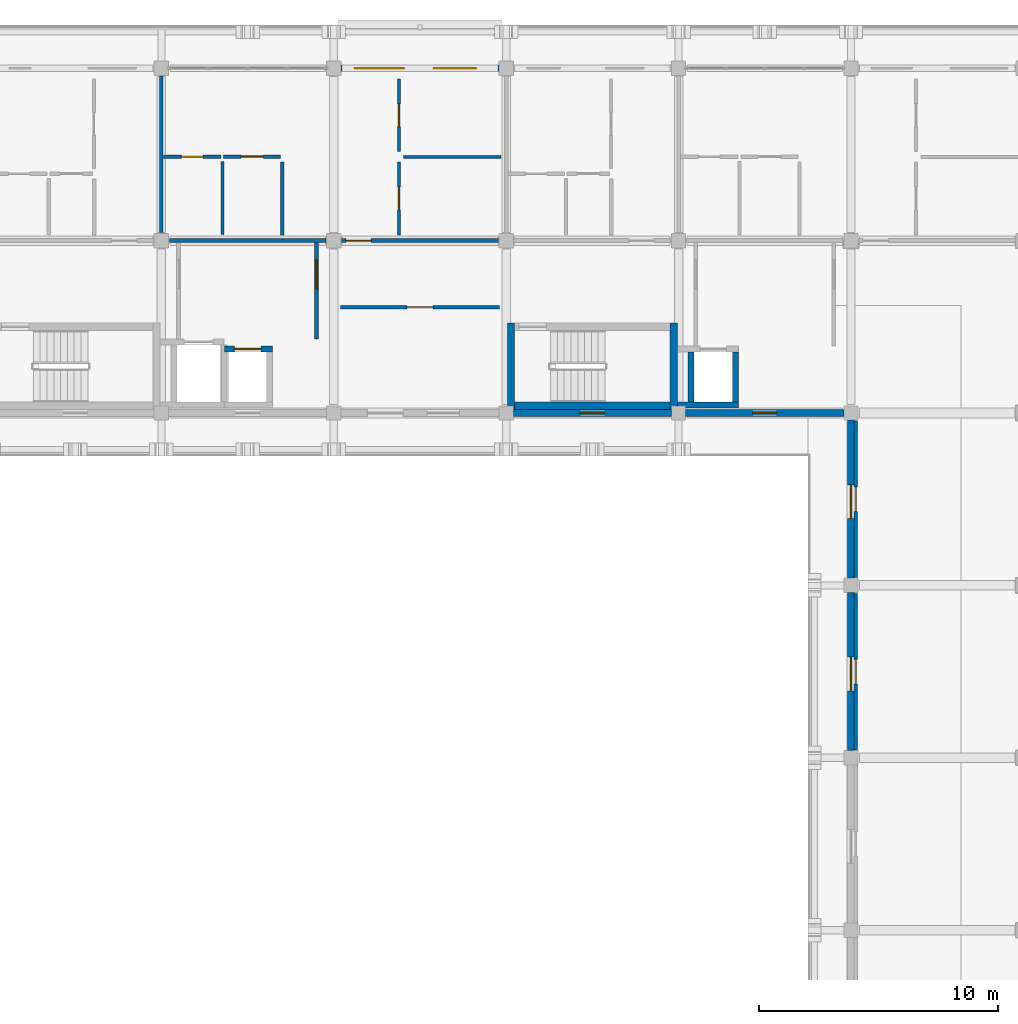
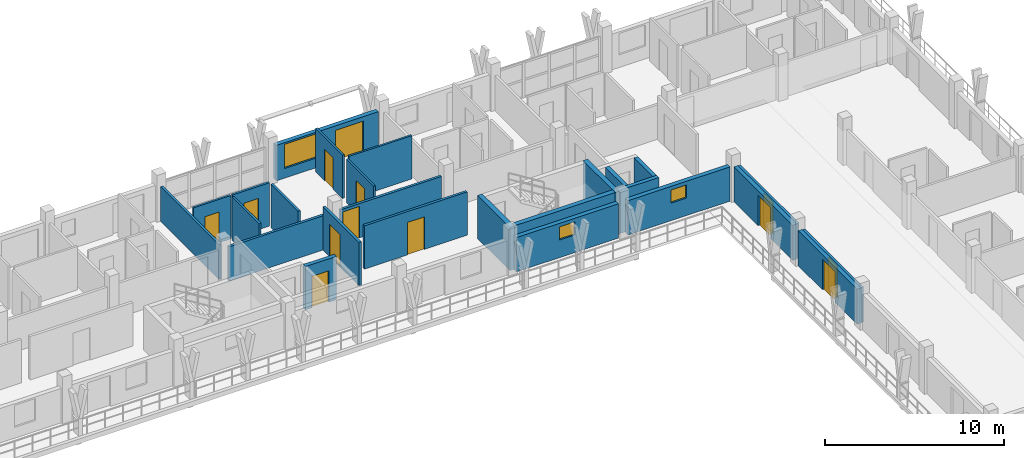
# One storey, part 135 of 157: 26 walls, 13 doors, 3 windows, 16 openings.
"""IFC4 building model written with IfcOpenShell, lengths in metres."""

from ifc_helpers import new_model, si_unit, direction, frame, frame_2d, origin, place, context, subcontext, project, spatial, rectangle, extrude, material, layer, layer_set, type_object, element, fill, save


model = new_model("IFC4")

# Units and contexts
model_context = context("Model", 3, precision=1e-05, world=origin(), true_north=direction((0.0, 1.0)))
body_context = subcontext(model_context, "Body", "Model", "MODEL_VIEW")
ifc_project = project(units=[si_unit("LENGTHUNIT", "METRE"), si_unit("AREAUNIT", "SQUARE_METRE"), si_unit("VOLUMEUNIT", "CUBIC_METRE"), si_unit("PLANEANGLEUNIT", "RADIAN"), si_unit("MASSUNIT", "GRAM", prefix="KILO")], contexts=[model_context])

# Site, building, storey
site_placement = place(None, origin())
site = spatial("IfcSite", under=ifc_project, at=site_placement, CompositionType="ELEMENT")
building_placement = place(site_placement, origin())
building = spatial("IfcBuilding", under=site, at=building_placement, Name="Suanplinth Sawtooth Commons", CompositionType="ELEMENT")
storey_placement = place(building_placement, frame((0.0, 0.0, 9.0)))
storey = spatial("IfcBuildingStorey", under=building, at=storey_placement, Name="L02", CompositionType="ELEMENT", Elevation=9.0)

# Walls
ifc_material_1 = material(Name="Concrete C40/50", Category="concrete")
ifc_layer_1 = layer(ifc_material_1, 0.300048828125, Name="Standard RC stair and lift core wall 300mm")
ifc_layer_set_1 = layer_set([ifc_layer_1], Name="Concrete C40/50")
wall_type_1 = type_object("IfcWallType", Name="W-CR02", PredefinedType="SHEAR", material=ifc_layer_set_1)
wall_1_placement = place(storey_placement, frame((158.75, 108.300048828125, 0.0), z_axis=(0.0, 0.0, 1.0), x_axis=(1.0, 0.0, 0.0)))
element("IfcWall", 1, at=wall_1_placement, inside=storey, type_object=wall_type_1, Name="W-L02-C-B2-STS", PredefinedType="SHEAR", context=body_context, shape_type="SweptSolid", body=[
    extrude(rectangle(XDim=6.5, YDim=0.300048828125, at=frame_2d((3.25, 0.0))), origin(), (0.0, 0.0, 1.0), 2.9599609375),
])
for number, where, z_axis, x_axis, name in (
    (2, (158.60009765625, 108.14990234375, 0.0), (0.0, 0.0, 1.0), (0.0, 1.0, 0.0), "W-L02-C-B2-STW"),
    (3, (165.39990234375, 108.14990234375, 0.0), (0.0, 0.0, 1.0), (0.0, 1.0, 0.0), "W-L02-C-B2-STE"),
):
    element("IfcWall", number, at=place(storey_placement, frame(where, z_axis=z_axis, x_axis=x_axis)), inside=storey, type_object=wall_type_1, Name=name, PredefinedType="SHEAR", context=body_context, shape_type="SweptSolid", body=[
        extrude(rectangle(XDim=3.60009765625, YDim=0.300048828125, at=frame_2d((1.800048828125, 0.0))), origin(), (0.0, 0.0, 1.0), 2.9599609375),
    ])

# Wall, openings, door, window
ifc_material_2 = material(Name="Precast concrete C40/50", Category="concrete")
ifc_layer_2 = layer(ifc_material_2, 0.280029296875, Name="Insulated precast architectural facade wall 280mm")
ifc_layer_set_2 = layer_set([ifc_layer_2], Name="Precast concrete C40/50")
wall_type_2 = type_object("IfcWallType", Name="W-EX01", PredefinedType="ELEMENTEDWALL", material=ifc_layer_set_2)
wall_2_placement = place(storey_placement, frame((151.5, 122.39990234375, 0.0), z_axis=(0.0, 0.0, 1.0), x_axis=(1.0, 0.0, 0.0)))
wall_2 = element("IfcWall", 4, at=wall_2_placement, inside=storey, type_object=wall_type_2, Name="Facade Wall W-L02-B-N-21-16", PredefinedType="ELEMENTEDWALL", context=body_context, shape_type="SweptSolid", body=[
    extrude(rectangle(XDim=6.60009765625, YDim=0.280029296875, at=frame_2d((3.300048828125, 0.0))), origin(), (0.0, 0.0, 1.0), 2.425048828125),
])
opening_1_placement = place(wall_2_placement, frame((3.85009765625, 0.0, 0.0)))
opening_1 = element("IfcOpeningElement", 5, at=opening_1_placement, cuts=wall_2, Name="Opening ED0162", PredefinedType="OPENING", context=body_context, shape_type="SweptSolid", body=[
    extrude(rectangle(XDim=1.800048828125, YDim=2.1201171875, at=frame_2d((0.89990234375, 1.06005859375))), frame((0.0, 0.15478515625, 0.0), z_axis=(0.0, -1.0, 0.0), x_axis=(1.0, 0.0, 0.0)), (0.0, 0.0, 1.0), 0.309814453125),
])
opening_2_placement = place(wall_2_placement, frame((0.550048828125, 0.0, 0.6650390625)))
opening_2 = element("IfcOpeningElement", 6, at=opening_2_placement, cuts=wall_2, Name="Opening W0278", PredefinedType="OPENING", context=body_context, shape_type="SweptSolid", body=[
    extrude(rectangle(XDim=2.10009765625, YDim=1.64990234375, at=frame_2d((1.050048828125, 0.824951171875))), frame((0.0, 0.15478515625, 0.0), z_axis=(0.0, -1.0, 0.0), x_axis=(1.0, 0.0, 0.0)), (0.0, 0.0, 1.0), 0.309814453125),
])
ifc_material_3 = material(Name="Anodized aluminium and low-E glass", Category="aluminium")
door_type_1 = type_object("IfcDoorType", Name="SD-01", OperationType="SLIDING_TO_LEFT", PredefinedType="DOOR", material=ifc_material_3)
door_1_placement = place(opening_1_placement, frame((1.800048828125, 0.0, 0.0), z_axis=(0.0, 0.0, 1.0), x_axis=(-1.0, 0.0, 0.0)))
door_1 = element("IfcDoor", 7, at=door_1_placement, inside=storey, type_object=door_type_1, Name="Balcony Sliding Door L02-B-21", OperationType="SLIDING_TO_LEFT", OverallHeight=2.1201171875, OverallWidth=1.800048828125, PredefinedType="DOOR", context=body_context, shape_type="SweptSolid", body=[
    extrude(rectangle(XDim=1.800048828125, YDim=2.1201171875, at=frame_2d((0.89990234375, 1.06005859375))), frame((0.0, 0.02490234375, 0.0), z_axis=(0.0, -1.0, 0.0), x_axis=(1.0, 0.0, 0.0)), (0.0, 0.0, 1.0), 0.050048828125),
])
fill(opening_1, door_1)
ifc_material_4 = material(Name="Thermally broken aluminium and low-E double glazing", Category="aluminium")
window_type_1 = type_object("IfcWindowType", Name="WN-06", PartitioningType="DOUBLE_PANEL_VERTICAL", PredefinedType="WINDOW", material=ifc_material_4)
window_1_placement = place(opening_2_placement, origin())
window_1 = element("IfcWindow", 8, at=window_1_placement, inside=storey, type_object=window_type_1, Name="Apartment Window L02-B-21", OverallHeight=1.64990234375, OverallWidth=2.10009765625, PartitioningType="DOUBLE_PANEL_VERTICAL", PredefinedType="WINDOW", context=body_context, shape_type="SweptSolid", body=[
    extrude(rectangle(XDim=2.10009765625, YDim=1.64990234375, at=frame_2d((1.050048828125, 0.824951171875))), frame((0.0, 0.030029296875, 0.0), z_axis=(0.0, -1.0, 0.0), x_axis=(1.0, 0.0, 0.0)), (0.0, 0.0, 1.0), 0.06005859375),
])
fill(opening_2, window_1)

# Wall, opening, window
wall_3_placement = place(storey_placement, frame((158.699951171875, 108.0, 0.0), z_axis=(0.0, 0.0, 1.0), x_axis=(1.0, 0.0, 0.0)))
wall_3 = element("IfcWall", 9, at=wall_3_placement, inside=storey, type_object=wall_type_2, Name="Facade Wall W-L02-B-S-22-15", PredefinedType="ELEMENTEDWALL", context=body_context, shape_type="SweptSolid", body=[
    extrude(rectangle(XDim=6.60009765625, YDim=0.280029296875, at=frame_2d((3.300048828125, 0.0))), origin(), (0.0, 0.0, 1.0), 2.344970703125),
])
opening_3_placement = place(wall_3_placement, frame((2.800048828125, 0.0, 1.199951171875)))
opening_3 = element("IfcOpeningElement", 10, at=opening_3_placement, cuts=wall_3, Name="Opening W0279", PredefinedType="OPENING", context=body_context, shape_type="SweptSolid", body=[
    extrude(rectangle(XDim=1.0, YDim=0.89990234375, at=frame_2d((0.5, 0.449951171875))), frame((0.0, 0.15478515625, 0.0), z_axis=(0.0, -1.0, 0.0), x_axis=(1.0, 0.0, 0.0)), (0.0, 0.0, 1.0), 0.309814453125),
])
window_type_2 = type_object("IfcWindowType", Name="WN-12", PartitioningType="SINGLE_PANEL", PredefinedType="WINDOW", material=ifc_material_4)
window_2_placement = place(opening_3_placement, origin())
window_2 = element("IfcWindow", 11, at=window_2_placement, inside=storey, type_object=window_type_2, Name="Core Daylight Window L02-B-22-15", OverallHeight=0.89990234375, OverallWidth=1.0, PartitioningType="SINGLE_PANEL", PredefinedType="WINDOW", context=body_context, shape_type="SweptSolid", body=[
    extrude(rectangle(XDim=1.0, YDim=0.89990234375, at=frame_2d((0.5, 0.449951171875))), frame((0.0, 0.030029296875, 0.0), z_axis=(0.0, -1.0, 0.0), x_axis=(1.0, 0.0, 0.0)), (0.0, 0.0, 1.0), 0.06005859375),
])
fill(opening_3, window_2)

wall_4_placement = place(storey_placement, frame((165.89990234375, 108.0, 0.0), z_axis=(0.0, 0.0, 1.0), x_axis=(1.0, 0.0, 0.0)))
wall_4 = element("IfcWall", 12, at=wall_4_placement, inside=storey, type_object=wall_type_2, Name="Facade Wall W-L02-B-S-23-15", PredefinedType="ELEMENTEDWALL", context=body_context, shape_type="SweptSolid", body=[
    extrude(rectangle(XDim=6.60009765625, YDim=0.280029296875, at=frame_2d((3.300048828125, 0.0))), origin(), (0.0, 0.0, 1.0), 2.344970703125),
])
opening_4_placement = place(wall_4_placement, frame((2.800048828125, 0.0, 1.199951171875)))
opening_4 = element("IfcOpeningElement", 13, at=opening_4_placement, cuts=wall_4, Name="Opening W0281", PredefinedType="OPENING", context=body_context, shape_type="SweptSolid", body=[
    extrude(rectangle(XDim=1.0, YDim=0.89990234375, at=frame_2d((0.5, 0.449951171875))), frame((0.0, 0.15478515625, 0.0), z_axis=(0.0, -1.0, 0.0), x_axis=(1.0, 0.0, 0.0)), (0.0, 0.0, 1.0), 0.309814453125),
])
window_3_placement = place(opening_4_placement, origin())
window_3 = element("IfcWindow", 14, at=window_3_placement, inside=storey, type_object=window_type_2, Name="Core Daylight Window L02-B-23-15", OverallHeight=0.89990234375, OverallWidth=1.0, PartitioningType="SINGLE_PANEL", PredefinedType="WINDOW", context=body_context, shape_type="SweptSolid", body=[
    extrude(rectangle(XDim=1.0, YDim=0.89990234375, at=frame_2d((0.5, 0.449951171875))), frame((0.0, 0.030029296875, 0.0), z_axis=(0.0, -1.0, 0.0), x_axis=(1.0, 0.0, 0.0)), (0.0, 0.0, 1.0), 0.06005859375),
])
fill(opening_4, window_3)

# Wall, opening, door
wall_5_placement = place(storey_placement, frame((172.800048828125, 93.89990234375, 0.0), z_axis=(0.0, 0.0, 1.0), x_axis=(0.0, 1.0, 0.0)))
wall_5 = element("IfcWall", 15, at=wall_5_placement, inside=storey, type_object=wall_type_2, Name="Facade Wall W-L02-B-W-24-13", PredefinedType="ELEMENTEDWALL", context=body_context, shape_type="SweptSolid", body=[
    extrude(rectangle(XDim=6.60009765625, YDim=0.280029296875, at=frame_2d((3.300048828125, 0.0))), origin(), (0.0, 0.0, 1.0), 2.39501953125),
])
opening_5_placement = place(wall_5_placement, frame((2.5, 0.0, 0.0)))
opening_5 = element("IfcOpeningElement", 16, at=opening_5_placement, cuts=wall_5, Name="Opening ED0166", PredefinedType="OPENING", context=body_context, shape_type="SweptSolid", body=[
    extrude(rectangle(XDim=1.39990234375, YDim=2.10009765625, at=frame_2d((0.699951171875, 1.050048828125))), frame((0.0, 0.15478515625, 0.0), z_axis=(0.0, -1.0, 0.0), x_axis=(1.0, 0.0, 0.0)), (0.0, 0.0, 1.0), 0.309814453125),
])
door_type_2 = type_object("IfcDoorType", Name="SD-07", OperationType="SLIDING_TO_RIGHT", PredefinedType="DOOR", material=ifc_material_3)
door_2_placement = place(opening_5_placement, frame((1.39990234375, 0.0, 0.0), z_axis=(0.0, 0.0, 1.0), x_axis=(-1.0, 0.0, 0.0)))
door_2 = element("IfcDoor", 17, at=door_2_placement, inside=storey, type_object=door_type_2, Name="Courtyard Veranda Studio Balcony Door L02-B-13", OperationType="SLIDING_TO_RIGHT", OverallHeight=2.10009765625, OverallWidth=1.39990234375, PredefinedType="DOOR", context=body_context, shape_type="SweptSolid", body=[
    extrude(rectangle(XDim=1.39990234375, YDim=2.10009765625, at=frame_2d((0.699951171875, 1.050048828125))), frame((0.0, 0.02490234375, 0.0), z_axis=(0.0, -1.0, 0.0), x_axis=(1.0, 0.0, 0.0)), (0.0, 0.0, 1.0), 0.050048828125),
])
fill(opening_5, door_2)

wall_6_placement = place(storey_placement, frame((172.800048828125, 101.10009765625, 0.0), z_axis=(0.0, 0.0, 1.0), x_axis=(0.0, 1.0, 0.0)))
wall_6 = element("IfcWall", 18, at=wall_6_placement, inside=storey, type_object=wall_type_2, Name="Facade Wall W-L02-B-W-24-14", PredefinedType="ELEMENTEDWALL", context=body_context, shape_type="SweptSolid", body=[
    extrude(rectangle(XDim=6.599853515625, YDim=0.280029296875, at=frame_2d((3.2998046875, 0.0))), origin(), (0.0, 0.0, 1.0), 2.39501953125),
])
opening_6_placement = place(wall_6_placement, frame((2.5, 0.0, 0.0)))
opening_6 = element("IfcOpeningElement", 19, at=opening_6_placement, cuts=wall_6, Name="Opening ED0167", PredefinedType="OPENING", context=body_context, shape_type="SweptSolid", body=[
    extrude(rectangle(XDim=1.39990234375, YDim=2.10009765625, at=frame_2d((0.699951171875, 1.050048828125))), frame((0.0, 0.15478515625, 0.0), z_axis=(0.0, -1.0, 0.0), x_axis=(1.0, 0.0, 0.0)), (0.0, 0.0, 1.0), 0.309814453125),
])
door_3_placement = place(opening_6_placement, frame((1.39990234375, 0.0, 0.0), z_axis=(0.0, 0.0, 1.0), x_axis=(-1.0, 0.0, 0.0)))
door_3 = element("IfcDoor", 20, at=door_3_placement, inside=storey, type_object=door_type_2, Name="Courtyard Veranda Studio Balcony Door L02-B-14", OperationType="SLIDING_TO_RIGHT", OverallHeight=2.10009765625, OverallWidth=1.39990234375, PredefinedType="DOOR", context=body_context, shape_type="SweptSolid", body=[
    extrude(rectangle(XDim=1.39990234375, YDim=2.10009765625, at=frame_2d((0.699951171875, 1.050048828125))), frame((0.0, 0.02490234375, 0.0), z_axis=(0.0, -1.0, 0.0), x_axis=(1.0, 0.0, 0.0)), (0.0, 0.0, 1.0), 0.050048828125),
])
fill(opening_6, door_3)

ifc_layer_3 = layer(ifc_material_2, 0.159912109375, Name="Fire-rated corridor and lobby wall 160mm")
ifc_layer_set_3 = layer_set([ifc_layer_3], Name="Precast concrete C40/50")
wall_type_3 = type_object("IfcWallType", Name="W-FW01", PredefinedType="PARTITIONING", material=ifc_layer_set_3)
wall_7_placement = place(storey_placement, frame((150.47998046875, 111.10009765625, 0.0), z_axis=(0.0, 0.0, 1.0), x_axis=(0.0, 1.0, 0.0)))
wall_7 = element("IfcWall", 21, at=wall_7_placement, inside=storey, type_object=wall_type_3, Name="W-L02-C-B1-LOB-E", PredefinedType="PARTITIONING", context=body_context, shape_type="SweptSolid", body=[
    extrude(rectangle(XDim=4.02001953125, YDim=0.159912109375, at=frame_2d((2.010009765625, 0.0))), origin(), (0.0, 0.0, 1.0), 2.9599609375),
])
opening_7_placement = place(wall_7_placement, frame((2.10009765625, 0.0, 0.0)))
opening_7 = element("IfcOpeningElement", 22, at=opening_7_placement, cuts=wall_7, Name="Opening FD0171", PredefinedType="OPENING", context=body_context, shape_type="SweptSolid", body=[
    extrude(rectangle(XDim=1.199951171875, YDim=2.199951171875, at=frame_2d((0.60009765625, 1.10009765625))), frame((0.0, 0.0947265625, 0.0), z_axis=(0.0, -1.0, 0.0), x_axis=(1.0, 0.0, 0.0)), (0.0, 0.0, 1.0), 0.189697265625),
])
ifc_material_5 = material(Name="Teak hardwood fire-rated door assembly", Category="wood")
door_type_3 = type_object("IfcDoorType", Name="FD-02", OperationType="NOTDEFINED", PredefinedType="DOOR", material=ifc_material_5)
door_4_placement = place(opening_7_placement, frame((1.199951171875, 0.0, 0.0), z_axis=(0.0, 0.0, 1.0), x_axis=(-1.0, 0.0, 0.0)))
door_4 = element("IfcDoor", 23, at=door_4_placement, inside=storey, type_object=door_type_3, Name="Lobby Fire Door FD0171", OperationType="SINGLE_SWING_LEFT", OverallHeight=2.199951171875, OverallWidth=1.199951171875, PredefinedType="DOOR", context=body_context, shape_type="SweptSolid", body=[
    extrude(rectangle(XDim=1.199951171875, YDim=2.199951171875, at=frame_2d((0.60009765625, 1.10009765625))), frame((0.0, 0.02490234375, 0.0), z_axis=(0.0, -1.0, 0.0), x_axis=(1.0, 0.0, 0.0)), (0.0, 0.0, 1.0), 0.050048828125),
])
fill(opening_7, door_4)

# Wall
wall_8_placement = place(storey_placement, frame((144.330078125, 115.199951171875, 0.0), z_axis=(0.0, 0.0, 1.0), x_axis=(1.0, 0.0, 0.0)))
element("IfcWall", 24, at=wall_8_placement, inside=storey, type_object=wall_type_3, Name="W-B-L02-U03-COR-S1", PredefinedType="PARTITIONING", context=body_context, shape_type="SweptSolid", body=[
    extrude(rectangle(XDim=6.5400390625, YDim=0.159912109375, at=frame_2d((3.27001953125, 0.0))), origin(), (0.0, 0.0, 1.0), 2.344970703125),
])

# Wall, opening, door
wall_9_placement = place(storey_placement, frame((151.530029296875, 115.199951171875, 0.0), z_axis=(0.0, 0.0, 1.0), x_axis=(1.0, 0.0, 0.0)))
wall_9 = element("IfcWall", 25, at=wall_9_placement, inside=storey, type_object=wall_type_3, Name="W-B-L02-U03-COR-S2", PredefinedType="PARTITIONING", context=body_context, shape_type="SweptSolid", body=[
    extrude(rectangle(XDim=6.5400390625, YDim=0.159912109375, at=frame_2d((3.27001953125, 0.0))), origin(), (0.0, 0.0, 1.0), 2.344970703125),
])
opening_8_placement = place(wall_9_placement, frame((0.179931640625, 0.0, 0.0)))
opening_8 = element("IfcOpeningElement", 26, at=opening_8_placement, cuts=wall_9, Name="Opening FD0754", PredefinedType="OPENING", context=body_context, shape_type="SweptSolid", body=[
    extrude(rectangle(XDim=1.050048828125, YDim=2.14990234375, at=frame_2d((0.52490234375, 1.074951171875))), frame((0.0, 0.0947265625, 0.0), z_axis=(0.0, -1.0, 0.0), x_axis=(1.0, 0.0, 0.0)), (0.0, 0.0, 1.0), 0.189697265625),
])
door_type_4 = type_object("IfcDoorType", Name="FD-04", OperationType="NOTDEFINED", PredefinedType="DOOR", material=ifc_material_5)
door_5_placement = place(opening_8_placement, origin())
door_5 = element("IfcDoor", 27, at=door_5_placement, inside=storey, type_object=door_type_4, Name="Unit Entrance Door FD0754", OperationType="SINGLE_SWING_RIGHT", OverallHeight=2.14990234375, OverallWidth=1.050048828125, PredefinedType="DOOR", context=body_context, shape_type="SweptSolid", body=[
    extrude(rectangle(XDim=1.050048828125, YDim=2.14990234375, at=frame_2d((0.52490234375, 1.074951171875))), frame((0.0, 0.02490234375, 0.0), z_axis=(0.0, -1.0, 0.0), x_axis=(1.0, 0.0, 0.0)), (0.0, 0.0, 1.0), 0.050048828125),
])
fill(opening_8, door_5)

wall_10_placement = place(storey_placement, frame((151.47998046875, 112.419921875, 0.0), z_axis=(0.0, 0.0, 1.0), x_axis=(1.0, 0.0, 0.0)))
wall_10 = element("IfcWall", 28, at=wall_10_placement, inside=storey, type_object=wall_type_3, Name="W-B-L02-COURTROOM-33-COR", PredefinedType="PARTITIONING", context=body_context, shape_type="SweptSolid", body=[
    extrude(rectangle(XDim=6.64013671875, YDim=0.159912109375, at=frame_2d((3.320068359375, 0.0))), origin(), (0.0, 0.0, 1.0), 2.9599609375),
])
opening_9_placement = place(wall_10_placement, frame((2.780029296875, 0.0, 0.0)))
opening_9 = element("IfcOpeningElement", 29, at=opening_9_placement, cuts=wall_10, Name="Opening D0774", PredefinedType="OPENING", context=body_context, shape_type="SweptSolid", body=[
    extrude(rectangle(XDim=1.080078125, YDim=2.219970703125, at=frame_2d((0.5400390625, 1.10986328125))), frame((0.0, 0.0947265625, 0.0), z_axis=(0.0, -1.0, 0.0), x_axis=(1.0, 0.0, 0.0)), (0.0, 0.0, 1.0), 0.189697265625),
])
ifc_material_6 = material(Name="Teak hardwood", Category="wood")
door_type_5 = type_object("IfcDoorType", Name="D-17", OperationType="NOTDEFINED", PredefinedType="DOOR", material=ifc_material_6)
door_6_placement = place(opening_9_placement, frame((1.080078125, 0.0, 0.0), z_axis=(0.0, 0.0, 1.0), x_axis=(-1.0, 0.0, 0.0)))
door_6 = element("IfcDoor", 30, at=door_6_placement, inside=storey, type_object=door_type_5, Name="Study Studio Door D0774", OperationType="SINGLE_SWING_RIGHT", OverallHeight=2.219970703125, OverallWidth=1.080078125, PredefinedType="DOOR", context=body_context, shape_type="SweptSolid", body=[
    extrude(rectangle(XDim=1.080078125, YDim=2.219970703125, at=frame_2d((0.5400390625, 1.10986328125))), frame((0.0, 0.02490234375, 0.0), z_axis=(0.0, -1.0, 0.0), x_axis=(1.0, 0.0, 0.0)), (0.0, 0.0, 1.0), 0.050048828125),
])
fill(opening_9, door_6)

wall_11_placement = place(storey_placement, frame((173.0, 93.929931640625, 0.0), z_axis=(0.0, 0.0, 1.0), x_axis=(0.0, 1.0, 0.0)))
wall_11 = element("IfcWall", 31, at=wall_11_placement, inside=storey, type_object=wall_type_3, Name="W-B-L02-LEGCOURTROOM-39-COR", PredefinedType="PARTITIONING", context=body_context, shape_type="SweptSolid", body=[
    extrude(rectangle(XDim=6.5400390625, YDim=0.159912109375, at=frame_2d((3.27001953125, 0.0))), origin(), (0.0, 0.0, 1.0), 2.39501953125),
])
opening_10_placement = place(wall_11_placement, frame((2.760009765625, 0.0, 0.0)))
opening_10 = element("IfcOpeningElement", 32, at=opening_10_placement, cuts=wall_11, Name="Opening D0783", PredefinedType="OPENING", context=body_context, shape_type="SweptSolid", body=[
    extrude(rectangle(XDim=1.02001953125, YDim=2.179931640625, at=frame_2d((0.510009765625, 1.08984375))), frame((0.0, 0.0947265625, 0.0), z_axis=(0.0, -1.0, 0.0), x_axis=(1.0, 0.0, 0.0)), (0.0, 0.0, 1.0), 0.189697265625),
])
door_type_6 = type_object("IfcDoorType", Name="D-16", OperationType="NOTDEFINED", PredefinedType="DOOR", material=ifc_material_6)
door_7_placement = place(opening_10_placement, origin())
door_7 = element("IfcDoor", 33, at=door_7_placement, inside=storey, type_object=door_type_6, Name="Veranda Studio Door D0783", OperationType="SINGLE_SWING_LEFT", OverallHeight=2.179931640625, OverallWidth=1.02001953125, PredefinedType="DOOR", context=body_context, shape_type="SweptSolid", body=[
    extrude(rectangle(XDim=1.02001953125, YDim=2.179931640625, at=frame_2d((0.510009765625, 1.08984375))), frame((0.0, 0.02490234375, 0.0), z_axis=(0.0, -1.0, 0.0), x_axis=(1.0, 0.0, 0.0)), (0.0, 0.0, 1.0), 0.050048828125),
])
fill(opening_10, door_7)

wall_12_placement = place(storey_placement, frame((173.0, 101.1298828125, 0.0), z_axis=(0.0, 0.0, 1.0), x_axis=(0.0, 1.0, 0.0)))
wall_12 = element("IfcWall", 34, at=wall_12_placement, inside=storey, type_object=wall_type_3, Name="W-B-L02-LEGCOURTROOM-41-COR", PredefinedType="PARTITIONING", context=body_context, shape_type="SweptSolid", body=[
    extrude(rectangle(XDim=6.5400390625, YDim=0.159912109375, at=frame_2d((3.27001953125, 0.0))), origin(), (0.0, 0.0, 1.0), 2.39501953125),
])
opening_11_placement = place(wall_12_placement, frame((2.760009765625, 0.0, 0.0)))
opening_11 = element("IfcOpeningElement", 35, at=opening_11_placement, cuts=wall_12, Name="Opening D0786", PredefinedType="OPENING", context=body_context, shape_type="SweptSolid", body=[
    extrude(rectangle(XDim=1.02001953125, YDim=2.179931640625, at=frame_2d((0.510009765625, 1.08984375))), frame((0.0, 0.0947265625, 0.0), z_axis=(0.0, -1.0, 0.0), x_axis=(1.0, 0.0, 0.0)), (0.0, 0.0, 1.0), 0.189697265625),
])
door_8_placement = place(opening_11_placement, origin())
door_8 = element("IfcDoor", 36, at=door_8_placement, inside=storey, type_object=door_type_6, Name="Veranda Studio Door D0786", OperationType="SINGLE_SWING_RIGHT", OverallHeight=2.179931640625, OverallWidth=1.02001953125, PredefinedType="DOOR", context=body_context, shape_type="SweptSolid", body=[
    extrude(rectangle(XDim=1.02001953125, YDim=2.179931640625, at=frame_2d((0.510009765625, 1.08984375))), frame((0.0, 0.02490234375, 0.0), z_axis=(0.0, -1.0, 0.0), x_axis=(1.0, 0.0, 0.0)), (0.0, 0.0, 1.0), 0.050048828125),
])
fill(opening_11, door_8)

# Wall
ifc_layer_4 = layer(ifc_material_2, 0.14990234375, Name="Acoustic precast party demising wall 150mm")
ifc_layer_set_4 = layer_set([ifc_layer_4], Name="Precast concrete C40/50")
wall_type_4 = type_object("IfcWallType", Name="W-FW02", PredefinedType="PARTITIONING", material=ifc_layer_set_4)
wall_13_placement = place(storey_placement, frame((144.0, 115.530029296875, 0.0), z_axis=(0.0, 0.0, 1.0), x_axis=(0.0, 1.0, 0.0)))
element("IfcWall", 37, at=wall_13_placement, inside=storey, type_object=wall_type_4, Name="W-B-L02-U02-PTY", PredefinedType="PARTITIONING", context=body_context, shape_type="SweptSolid", body=[
    extrude(rectangle(XDim=6.5400390625, YDim=0.14990234375, at=frame_2d((3.27001953125, 0.0))), origin(), (0.0, 0.0, 1.0), 2.39501953125),
])

# Wall, opening, door
ifc_material_7 = material(Name="Gypsum plasterboard on steel stud", Category="steel")
ifc_layer_5 = layer(ifc_material_7, 0.139892578125, Name="Fire-rated kitchen partition 140mm")
ifc_layer_set_5 = layer_set([ifc_layer_5], Name="Gypsum plasterboard on steel stud")
wall_type_5 = type_object("IfcWallType", Name="W-PT01", PredefinedType="PARTITIONING", material=ifc_layer_set_5)
wall_14_placement = place(storey_placement, frame((146.60009765625, 118.7099609375, 0.0), z_axis=(0.0, 0.0, 1.0), x_axis=(1.0, 0.0, 0.0)))
wall_14 = element("IfcWall", 38, at=wall_14_placement, inside=storey, type_object=wall_type_5, Name="W-B-L02-U03-KIT1", PredefinedType="PARTITIONING", context=body_context, shape_type="SweptSolid", body=[
    extrude(rectangle(XDim=2.3798828125, YDim=0.139892578125, at=frame_2d((1.18994140625, 0.0))), origin(), (0.0, 0.0, 1.0), 2.9599609375),
])
opening_12_placement = place(wall_14_placement, frame((0.72509765625, 0.0, 0.0)))
opening_12 = element("IfcOpeningElement", 39, at=opening_12_placement, cuts=wall_14, Name="Opening D0756", PredefinedType="OPENING", context=body_context, shape_type="SweptSolid", body=[
    extrude(rectangle(XDim=0.929931640625, YDim=2.139892578125, at=frame_2d((0.46484375, 1.06982421875))), frame((0.0, 0.0849609375, 0.0), z_axis=(0.0, -1.0, 0.0), x_axis=(1.0, 0.0, 0.0)), (0.0, 0.0, 1.0), 0.169677734375),
])
door_type_7 = type_object("IfcDoorType", Name="D-19", OperationType="NOTDEFINED", PredefinedType="DOOR", material=ifc_material_6)
door_9_placement = place(opening_12_placement, frame((0.929931640625, 0.0, 0.0), z_axis=(0.0, 0.0, 1.0), x_axis=(-1.0, 0.0, 0.0)))
door_9 = element("IfcDoor", 40, at=door_9_placement, inside=storey, type_object=door_type_7, Name="Kitchen Door D0756", OperationType="SINGLE_SWING_RIGHT", OverallHeight=2.139892578125, OverallWidth=0.929931640625, PredefinedType="DOOR", context=body_context, shape_type="SweptSolid", body=[
    extrude(rectangle(XDim=0.929931640625, YDim=2.139892578125, at=frame_2d((0.46484375, 1.06982421875))), frame((0.0, 0.02490234375, 0.0), z_axis=(0.0, -1.0, 0.0), x_axis=(1.0, 0.0, 0.0)), (0.0, 0.0, 1.0), 0.050048828125),
])
fill(opening_12, door_9)

# Wall
wall_15_placement = place(storey_placement, frame((149.050048828125, 115.429931640625, 0.0), z_axis=(0.0, 0.0, 1.0), x_axis=(0.0, 1.0, 0.0)))
element("IfcWall", 41, at=wall_15_placement, inside=storey, type_object=wall_type_5, Name="W-B-L02-U03-KIT2", PredefinedType="PARTITIONING", context=body_context, shape_type="SweptSolid", body=[
    extrude(rectangle(XDim=3.06005859375, YDim=0.139892578125, at=frame_2d((1.530029296875, 0.0))), origin(), (0.0, 0.0, 1.0), 2.9599609375),
])

# Wall, opening, door
ifc_layer_6 = layer(ifc_material_7, 0.1298828125, Name="Moisture-resistant bathroom partition 130mm")
ifc_layer_set_6 = layer_set([ifc_layer_6], Name="Gypsum plasterboard on steel stud")
wall_type_6 = type_object("IfcWallType", Name="W-PT02", PredefinedType="PARTITIONING", material=ifc_layer_set_6)
wall_16_placement = place(storey_placement, frame((144.080078125, 118.705078125, 0.0), z_axis=(0.0, 0.0, 1.0), x_axis=(1.0, 0.0, 0.0)))
wall_16 = element("IfcWall", 42, at=wall_16_placement, inside=storey, type_object=wall_type_6, Name="W-B-L02-U03-BTH1", PredefinedType="PARTITIONING", context=body_context, shape_type="SweptSolid", body=[
    extrude(rectangle(XDim=2.39990234375, YDim=0.1298828125, at=frame_2d((1.199951171875, 0.0))), origin(), (0.0, 0.0, 1.0), 2.9599609375),
])
opening_13_placement = place(wall_16_placement, frame((0.75, 0.0, 0.0)))
opening_13 = element("IfcOpeningElement", 43, at=opening_13_placement, cuts=wall_16, Name="Opening D0755", PredefinedType="OPENING", context=body_context, shape_type="SweptSolid", body=[
    extrude(rectangle(XDim=0.89990234375, YDim=2.10009765625, at=frame_2d((0.449951171875, 1.050048828125))), frame((0.0, 0.079833984375, 0.0), z_axis=(0.0, -1.0, 0.0), x_axis=(1.0, 0.0, 0.0)), (0.0, 0.0, 1.0), 0.15966796875),
])
door_type_8 = type_object("IfcDoorType", Name="D-01", OperationType="NOTDEFINED", PredefinedType="DOOR", material=ifc_material_6)
door_10_placement = place(opening_13_placement, frame((0.89990234375, 0.0, 0.0), z_axis=(0.0, 0.0, 1.0), x_axis=(-1.0, 0.0, 0.0)))
door_10 = element("IfcDoor", 44, at=door_10_placement, inside=storey, type_object=door_type_8, Name="Bathroom Door D0755", OperationType="SINGLE_SWING_LEFT", OverallHeight=2.10009765625, OverallWidth=0.89990234375, PredefinedType="DOOR", context=body_context, shape_type="SweptSolid", body=[
    extrude(rectangle(XDim=0.89990234375, YDim=2.10009765625, at=frame_2d((0.449951171875, 1.050048828125))), frame((0.0, 0.02490234375, 0.0), z_axis=(0.0, -1.0, 0.0), x_axis=(1.0, 0.0, 0.0)), (0.0, 0.0, 1.0), 0.050048828125),
])
fill(opening_13, door_10)

# Wall
wall_17_placement = place(storey_placement, frame((146.544921875, 115.4599609375, 0.0), z_axis=(0.0, 0.0, 1.0), x_axis=(0.0, 1.0, 0.0)))
element("IfcWall", 45, at=wall_17_placement, inside=storey, type_object=wall_type_6, Name="W-B-L02-U03-BTH2", PredefinedType="PARTITIONING", context=body_context, shape_type="SweptSolid", body=[
    extrude(rectangle(XDim=3.0400390625, YDim=0.1298828125, at=frame_2d((1.52001953125, 0.0))), origin(), (0.0, 0.0, 1.0), 2.9599609375),
])

# Wall, opening, door
ifc_layer_7 = layer(ifc_material_7, 0.1201171875, Name="Acoustic bedroom partition 120mm")
ifc_layer_set_7 = layer_set([ifc_layer_7], Name="Gypsum plasterboard on steel stud")
wall_type_7 = type_object("IfcWallType", Name="W-PT03", PredefinedType="PARTITIONING", material=ifc_layer_set_7)
wall_18_placement = place(storey_placement, frame((153.919921875, 118.919921875, 0.0), z_axis=(0.0, 0.0, 1.0), x_axis=(0.0, 1.0, 0.0)))
wall_18 = element("IfcWall", 46, at=wall_18_placement, inside=storey, type_object=wall_type_7, Name="W-B-L02-U03-BED1", PredefinedType="PARTITIONING", context=body_context, shape_type="SweptSolid", body=[
    extrude(rectangle(XDim=3.0400390625, YDim=0.1201171875, at=frame_2d((1.52001953125, 0.0))), origin(), (0.0, 0.0, 1.0), 2.9599609375),
])
opening_14_placement = place(wall_18_placement, frame((1.044921875, 0.0, 0.0)))
opening_14 = element("IfcOpeningElement", 47, at=opening_14_placement, cuts=wall_18, Name="Opening D0757", PredefinedType="OPENING", context=body_context, shape_type="SweptSolid", body=[
    extrude(rectangle(XDim=0.949951171875, YDim=2.14990234375, at=frame_2d((0.47509765625, 1.074951171875))), frame((0.0, 0.074951171875, 0.0), z_axis=(0.0, -1.0, 0.0), x_axis=(1.0, 0.0, 0.0)), (0.0, 0.0, 1.0), 0.14990234375),
])
door_type_9 = type_object("IfcDoorType", Name="D-03", OperationType="NOTDEFINED", PredefinedType="DOOR", material=ifc_material_6)
door_11_placement = place(opening_14_placement, frame((0.949951171875, 0.0, 0.0), z_axis=(0.0, 0.0, 1.0), x_axis=(-1.0, 0.0, 0.0)))
door_11 = element("IfcDoor", 48, at=door_11_placement, inside=storey, type_object=door_type_9, Name="Bedroom Door D0757", OperationType="SINGLE_SWING_LEFT", OverallHeight=2.14990234375, OverallWidth=0.949951171875, PredefinedType="DOOR", context=body_context, shape_type="SweptSolid", body=[
    extrude(rectangle(XDim=0.949951171875, YDim=2.14990234375, at=frame_2d((0.47509765625, 1.074951171875))), frame((0.0, 0.02490234375, 0.0), z_axis=(0.0, -1.0, 0.0), x_axis=(1.0, 0.0, 0.0)), (0.0, 0.0, 1.0), 0.050048828125),
])
fill(opening_14, door_11)

wall_19_placement = place(storey_placement, frame((153.919921875, 115.43994140625, 0.0), z_axis=(0.0, 0.0, 1.0), x_axis=(0.0, 1.0, 0.0)))
wall_19 = element("IfcWall", 49, at=wall_19_placement, inside=storey, type_object=wall_type_7, Name="W-B-L02-U03-BED2", PredefinedType="PARTITIONING", context=body_context, shape_type="SweptSolid", body=[
    extrude(rectangle(XDim=3.0400390625, YDim=0.1201171875, at=frame_2d((1.52001953125, 0.0))), origin(), (0.0, 0.0, 1.0), 2.9599609375),
])
opening_15_placement = place(wall_19_placement, frame((1.0400390625, 0.0, 0.0)))
opening_15 = element("IfcOpeningElement", 50, at=opening_15_placement, cuts=wall_19, Name="Opening D0758", PredefinedType="OPENING", context=body_context, shape_type="SweptSolid", body=[
    extrude(rectangle(XDim=0.9599609375, YDim=2.14990234375, at=frame_2d((0.47998046875, 1.074951171875))), frame((0.0, 0.074951171875, 0.0), z_axis=(0.0, -1.0, 0.0), x_axis=(1.0, 0.0, 0.0)), (0.0, 0.0, 1.0), 0.14990234375),
])
door_type_10 = type_object("IfcDoorType", Name="D-13", OperationType="NOTDEFINED", PredefinedType="DOOR", material=ifc_material_6)
door_12_placement = place(opening_15_placement, frame((0.9599609375, 0.0, 0.0), z_axis=(0.0, 0.0, 1.0), x_axis=(-1.0, 0.0, 0.0)))
door_12 = element("IfcDoor", 51, at=door_12_placement, inside=storey, type_object=door_type_10, Name="Second Bedroom Door D0758", OperationType="SINGLE_SWING_RIGHT", OverallHeight=2.14990234375, OverallWidth=0.9599609375, PredefinedType="DOOR", context=body_context, shape_type="SweptSolid", body=[
    extrude(rectangle(XDim=0.9599609375, YDim=2.14990234375, at=frame_2d((0.47998046875, 1.074951171875))), frame((0.0, 0.02490234375, 0.0), z_axis=(0.0, -1.0, 0.0), x_axis=(1.0, 0.0, 0.0)), (0.0, 0.0, 1.0), 0.050048828125),
])
fill(opening_15, door_12)

# Wall
ifc_layer_8 = layer(ifc_material_7, 0.125, Name="Acoustic study partition 125mm")
ifc_layer_set_8 = layer_set([ifc_layer_8], Name="Gypsum plasterboard on steel stud")
wall_type_8 = type_object("IfcWallType", Name="W-PT06", PredefinedType="PARTITIONING", material=ifc_layer_set_8)
wall_20_placement = place(storey_placement, frame((154.1201171875, 118.699951171875, 0.0), z_axis=(0.0, 0.0, 1.0), x_axis=(1.0, 0.0, 0.0)))
element("IfcWall", 52, at=wall_20_placement, inside=storey, type_object=wall_type_8, Name="W-B-L02-U03-BEDDIV", PredefinedType="PARTITIONING", context=body_context, shape_type="SweptSolid", body=[
    extrude(rectangle(XDim=4.059814453125, YDim=0.125, at=frame_2d((2.02978515625, 0.0))), origin(), (0.0, 0.0, 1.0), 2.9599609375),
])

# Wall, opening, door
ifc_layer_9 = layer(ifc_material_2, 0.25, Name="Precast structural shear wall 250mm")
ifc_layer_set_9 = layer_set([ifc_layer_9], Name="Precast concrete C40/50")
wall_type_9 = type_object("IfcWallType", Name="W-SH01", PredefinedType="SHEAR", material=ifc_layer_set_9)
wall_21_placement = place(storey_placement, frame((146.625, 110.675048828125, 0.0), z_axis=(0.0, 0.0, 1.0), x_axis=(1.0, 0.0, 0.0)))
wall_21 = element("IfcWall", 53, at=wall_21_placement, inside=storey, type_object=wall_type_9, Name="W-L02-LF3-N", PredefinedType="SHEAR", context=body_context, shape_type="SweptSolid", body=[
    extrude(rectangle(XDim=2.02490234375, YDim=0.25, at=frame_2d((1.012451171875, 0.0))), origin(), (0.0, 0.0, 1.0), 2.9599609375),
])
opening_16_placement = place(wall_21_placement, frame((0.425048828125, 0.0, 0.0)))
opening_16 = element("IfcOpeningElement", 54, at=opening_16_placement, cuts=wall_21, Name="Opening LD0173", PredefinedType="OPENING", context=body_context, shape_type="SweptSolid", body=[
    extrude(rectangle(XDim=1.10009765625, YDim=2.14990234375, at=frame_2d((0.550048828125, 1.074951171875))), frame((0.0, 0.139892578125, 0.0), z_axis=(0.0, -1.0, 0.0), x_axis=(1.0, 0.0, 0.0)), (0.0, 0.0, 1.0), 0.27978515625),
])
ifc_material_8 = material(Name="Stainless steel Grade 304", Category="steel")
door_type_11 = type_object("IfcDoorType", Name="LD-01", OperationType="SLIDING_TO_LEFT", PredefinedType="DOOR", material=ifc_material_8)
door_13_placement = place(opening_16_placement, origin())
door_13 = element("IfcDoor", 55, at=door_13_placement, inside=storey, type_object=door_type_11, Name="Lift Landing Sliding Door LF3 L02", OperationType="SLIDING_TO_LEFT", OverallHeight=2.14990234375, OverallWidth=1.10009765625, PredefinedType="DOOR", context=body_context, shape_type="SweptSolid", body=[
    extrude(rectangle(XDim=1.10009765625, YDim=2.14990234375, at=frame_2d((0.550048828125, 1.074951171875))), frame((0.0, 0.02490234375, 0.0), z_axis=(0.0, -1.0, 0.0), x_axis=(1.0, 0.0, 0.0)), (0.0, 0.0, 1.0), 0.050048828125),
])
fill(opening_16, door_13)

# Walls
wall_22_placement = place(storey_placement, frame((165.550048828125, 108.324951171875, 0.0), z_axis=(0.0, 0.0, 1.0), x_axis=(1.0, 0.0, 0.0)))
element("IfcWall", 56, at=wall_22_placement, inside=storey, type_object=wall_type_9, Name="W-L02-LF4-S", PredefinedType="SHEAR", context=body_context, shape_type="SweptSolid", body=[
    extrude(rectangle(XDim=2.550048828125, YDim=0.25, at=frame_2d((1.27490234375, 0.0))), origin(), (0.0, 0.0, 1.0), 2.9599609375),
])
for number, where, z_axis, x_axis, name in (
    (57, (166.125, 108.449951171875, 0.0), (0.0, 0.0, 1.0), (0.0, 1.0, 0.0), "W-L02-LF4-W"),
    (58, (167.97509765625, 108.449951171875, 0.0), (0.0, 0.0, 1.0), (0.0, 1.0, 0.0), "W-L02-LF4-E"),
):
    element("IfcWall", number, at=place(storey_placement, frame(where, z_axis=z_axis, x_axis=x_axis)), inside=storey, type_object=wall_type_9, Name=name, PredefinedType="SHEAR", context=body_context, shape_type="SweptSolid", body=[
        extrude(rectangle(XDim=2.10009765625, YDim=0.25, at=frame_2d((1.050048828125, 0.0))), origin(), (0.0, 0.0, 1.0), 2.9599609375),
    ])

save(model, "model.ifc")
